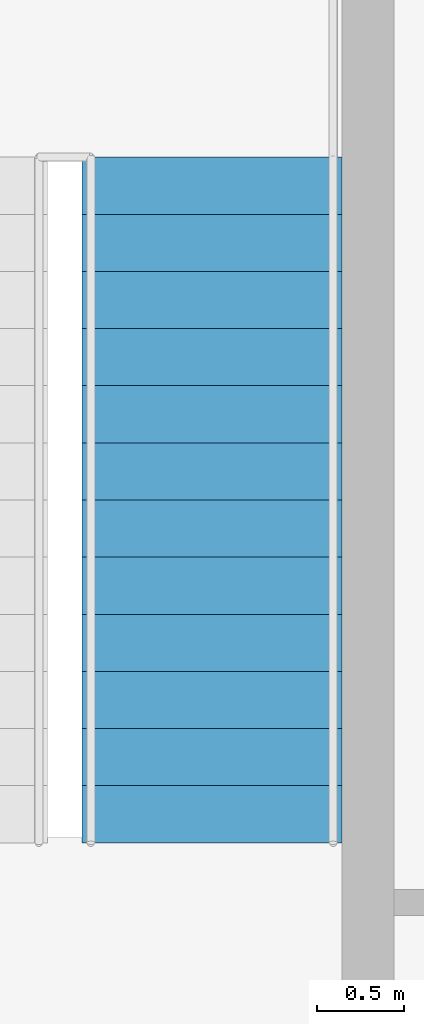
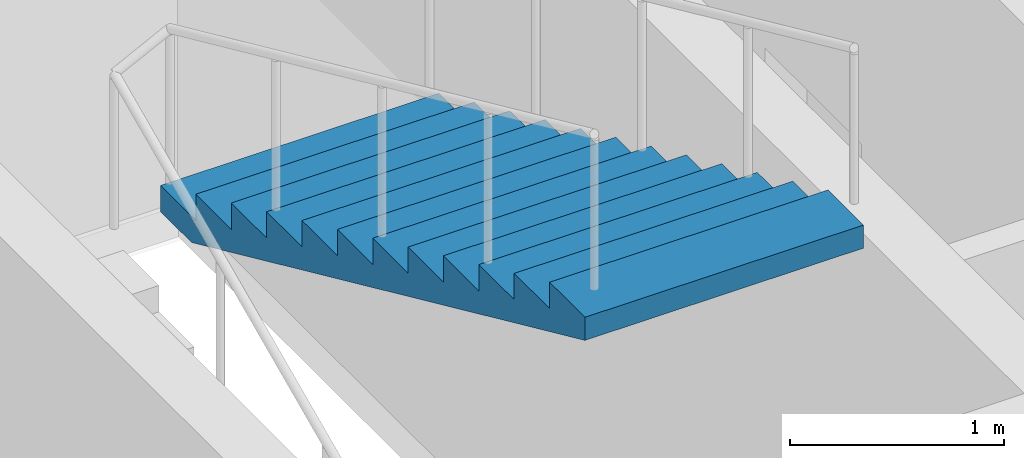
# One storey, part 9 of 10: 1 stair flight, 1 element without a shape of its own.
"""IFC4 building model written with IfcOpenShell, lengths in metres."""

from ifc_helpers import new_model, si_unit, direction, frame, origin, place, context, subcontext, project, spatial, polygons, material, type_object, element, aggregate, save


model = new_model("IFC4")

# Units and contexts
model_context = context("Model", 3, precision=1e-05, world=origin(), true_north=direction((0.0, 1.0)))
body_context = subcontext(model_context, "Body", "Model", "MODEL_VIEW")
ifc_project = project(units=[si_unit("LENGTHUNIT", "METRE"), si_unit("AREAUNIT", "SQUARE_METRE"), si_unit("VOLUMEUNIT", "CUBIC_METRE"), si_unit("PLANEANGLEUNIT", "RADIAN"), si_unit("MASSUNIT", "GRAM", prefix="KILO")], contexts=[model_context])

# Site, building, storey
site_placement = place(None, origin())
site = spatial("IfcSite", under=ifc_project, at=site_placement, CompositionType="ELEMENT")
building_placement = place(site_placement, origin())
building = spatial("IfcBuilding", under=site, at=building_placement, Name="Njiva Tower", CompositionType="ELEMENT")
storey_placement = place(building_placement, frame((0.0, 0.0, 159.3)))
storey = spatial("IfcBuildingStorey", under=building, at=storey_placement, Name="L34", CompositionType="ELEMENT", Elevation=159.3)

# Stair, stair flight
ifc_material = material(Name="Concrete C40/50", Category="concrete")
stair_type = type_object("IfcStairType", Name="ST4 Exit stair 1500", PredefinedType="HALF_TURN_STAIR", material=ifc_material)
stair_placement = place(storey_placement, origin())
stair = element("IfcStair", 1, at=stair_placement, inside=storey, type_object=stair_type, Name="Stair B", PredefinedType="HALF_TURN_STAIR")
stair_flight_type = type_object("IfcStairFlightType", Name="FL4 Stair flight 1500", PredefinedType="STRAIGHT", material=ifc_material)
stair_flight_placement = place(storey_placement, frame((13.45, 15.06, 1.95), z_axis=(0.0, 0.0, 1.0), x_axis=(0.0, -1.0, 0.0)))
stair_flight = element("IfcStairFlight", 2, at=stair_flight_placement, type_object=stair_flight_type, Name="ST-B flight 2", NumberOfRisers=13, NumberOfTreads=12, PredefinedType="STRAIGHT", RiserHeight=0.15, TreadLength=0.33, context=body_context, shape_type="Tessellation", body=[
    polygons([(0.0, 0.75, 0.0), (0.0, 0.375, 0.0), (0.0, 0.0, 0.0), (0.0, -0.375, 0.0), (0.0, -0.75, 0.0), (0.0, 0.75, 0.15), (0.0, 0.375, 0.15), (0.0, 0.0, 0.15), (0.0, -0.375, 0.15), (0.0, -0.75, 0.15), (0.33, 0.75, 0.15), (0.33, 0.375, 0.15), (0.33, 0.0, 0.15), (0.33, -0.375, 0.15), (0.33, -0.75, 0.15), (0.33, 0.75, 0.3), (0.33, 0.375, 0.3), (0.33, 0.0, 0.3), (0.33, -0.375, 0.3), (0.33, -0.75, 0.3), (0.66, 0.75, 0.3), (0.66, 0.375, 0.3), (0.66, 0.0, 0.3), (0.66, -0.375, 0.3), (0.66, -0.75, 0.3), (0.66, 0.75, 0.45), (0.66, 0.375, 0.45), (0.66, 0.0, 0.45), (0.66, -0.375, 0.45), (0.66, -0.75, 0.45), (0.99, 0.75, 0.45), (0.99, 0.375, 0.45), (0.99, 0.0, 0.45), (0.99, -0.375, 0.45), (0.99, -0.75, 0.45), (0.99, 0.75, 0.6), (0.99, 0.375, 0.6), (0.99, 0.0, 0.6), (0.99, -0.375, 0.6), (0.99, -0.75, 0.6), (1.32, 0.75, 0.6), (1.32, 0.375, 0.6), (1.32, 0.0, 0.6), (1.32, -0.375, 0.6), (1.32, -0.75, 0.6), (1.32, 0.75, 0.75), (1.32, 0.375, 0.75), (1.32, 0.0, 0.75), (1.32, -0.375, 0.75), (1.32, -0.75, 0.75), (1.65, 0.75, 0.75), (1.65, 0.375, 0.75), (1.65, 0.0, 0.75), (1.65, -0.375, 0.75), (1.65, -0.75, 0.75), (1.65, 0.75, 0.9), (1.65, 0.375, 0.9), (1.65, 0.0, 0.9), (1.65, -0.375, 0.9), (1.65, -0.75, 0.9), (1.98, 0.75, 0.9), (1.98, 0.375, 0.9), (1.98, 0.0, 0.9), (1.98, -0.375, 0.9), (1.98, -0.75, 0.9), (1.98, 0.75, 1.05), (1.98, 0.375, 1.05), (1.98, 0.0, 1.05), (1.98, -0.375, 1.05), (1.98, -0.75, 1.05), (2.31, 0.75, 1.05), (2.31, 0.375, 1.05), (2.31, 0.0, 1.05), (2.31, -0.375, 1.05), (2.31, -0.75, 1.05), (2.31, 0.75, 1.2), (2.31, 0.375, 1.2), (2.31, 0.0, 1.2), (2.31, -0.375, 1.2), (2.31, -0.75, 1.2), (2.64, 0.75, 1.2), (2.64, 0.375, 1.2), (2.64, 0.0, 1.2), (2.64, -0.375, 1.2), (2.64, -0.75, 1.2), (2.64, 0.75, 1.35), (2.64, 0.375, 1.35), (2.64, 0.0, 1.35), (2.64, -0.375, 1.35), (2.64, -0.75, 1.35), (2.97, 0.75, 1.35), (2.97, 0.375, 1.35), (2.97, 0.0, 1.35), (2.97, -0.375, 1.35), (2.97, -0.75, 1.35), (2.97, 0.75, 1.5), (2.97, 0.375, 1.5), (2.97, 0.0, 1.5), (2.97, -0.375, 1.5), (2.97, -0.75, 1.5), (3.3, 0.75, 1.5), (3.3, 0.375, 1.5), (3.3, 0.0, 1.5), (3.3, -0.375, 1.5), (3.3, -0.75, 1.5), (3.3, 0.75, 1.65), (3.3, 0.375, 1.65), (3.3, 0.0, 1.65), (3.3, -0.375, 1.65), (3.3, -0.75, 1.65), (3.63, 0.75, 1.65), (3.63, 0.375, 1.65), (3.63, 0.0, 1.65), (3.63, -0.375, 1.65), (3.63, -0.75, 1.65), (3.63, 0.75, 1.8), (3.63, 0.375, 1.8), (3.63, 0.0, 1.8), (3.63, -0.375, 1.8), (3.63, -0.75, 1.8), (3.96, 0.75, 1.8), (3.96, 0.375, 1.8), (3.96, 0.0, 1.8), (3.96, -0.375, 1.8), (3.96, -0.75, 1.8), (3.96, 0.75, 1.6682), (3.96, 0.375, 1.6682), (3.96, 0.0, 1.6682), (3.96, -0.375, 1.6682), (3.96, -0.75, 1.6682), (0.29, 0.75, 0.0), (0.29, 0.375, 0.0), (0.29, 0.0, 0.0), (0.29, -0.375, 0.0), (0.29, -0.75, 0.0)], [[[1, 6, 11, 16, 21, 26, 31, 36, 41, 46, 51, 56, 61, 66, 71, 76, 81, 86, 91, 96, 101, 106, 111, 116, 121, 126, 131]], [[135, 130, 125, 120, 115, 110, 105, 100, 95, 90, 85, 80, 75, 70, 65, 60, 55, 50, 45, 40, 35, 30, 25, 20, 15, 10, 5]], [[6, 1, 2, 7]], [[7, 2, 3, 8]], [[8, 3, 4, 9]], [[9, 4, 5, 10]], [[11, 6, 7, 12]], [[12, 7, 8, 13]], [[13, 8, 9, 14]], [[14, 9, 10, 15]], [[16, 11, 12, 17]], [[17, 12, 13, 18]], [[18, 13, 14, 19]], [[19, 14, 15, 20]], [[21, 16, 17, 22]], [[22, 17, 18, 23]], [[23, 18, 19, 24]], [[24, 19, 20, 25]], [[26, 21, 22, 27]], [[27, 22, 23, 28]], [[28, 23, 24, 29]], [[29, 24, 25, 30]], [[31, 26, 27, 32]], [[32, 27, 28, 33]], [[33, 28, 29, 34]], [[34, 29, 30, 35]], [[36, 31, 32, 37]], [[37, 32, 33, 38]], [[38, 33, 34, 39]], [[39, 34, 35, 40]], [[41, 36, 37, 42]], [[42, 37, 38, 43]], [[43, 38, 39, 44]], [[44, 39, 40, 45]], [[46, 41, 42, 47]], [[47, 42, 43, 48]], [[48, 43, 44, 49]], [[49, 44, 45, 50]], [[51, 46, 47, 52]], [[52, 47, 48, 53]], [[53, 48, 49, 54]], [[54, 49, 50, 55]], [[56, 51, 52, 57]], [[57, 52, 53, 58]], [[58, 53, 54, 59]], [[59, 54, 55, 60]], [[61, 56, 57, 62]], [[62, 57, 58, 63]], [[63, 58, 59, 64]], [[64, 59, 60, 65]], [[66, 61, 62, 67]], [[67, 62, 63, 68]], [[68, 63, 64, 69]], [[69, 64, 65, 70]], [[71, 66, 67, 72]], [[72, 67, 68, 73]], [[73, 68, 69, 74]], [[74, 69, 70, 75]], [[76, 71, 72, 77]], [[77, 72, 73, 78]], [[78, 73, 74, 79]], [[79, 74, 75, 80]], [[81, 76, 77, 82]], [[82, 77, 78, 83]], [[83, 78, 79, 84]], [[84, 79, 80, 85]], [[86, 81, 82, 87]], [[87, 82, 83, 88]], [[88, 83, 84, 89]], [[89, 84, 85, 90]], [[91, 86, 87, 92]], [[92, 87, 88, 93]], [[93, 88, 89, 94]], [[94, 89, 90, 95]], [[96, 91, 92, 97]], [[97, 92, 93, 98]], [[98, 93, 94, 99]], [[99, 94, 95, 100]], [[101, 96, 97, 102]], [[102, 97, 98, 103]], [[103, 98, 99, 104]], [[104, 99, 100, 105]], [[106, 101, 102, 107]], [[107, 102, 103, 108]], [[108, 103, 104, 109]], [[109, 104, 105, 110]], [[111, 106, 107, 112]], [[112, 107, 108, 113]], [[113, 108, 109, 114]], [[114, 109, 110, 115]], [[116, 111, 112, 117]], [[117, 112, 113, 118]], [[118, 113, 114, 119]], [[119, 114, 115, 120]], [[121, 116, 117, 122]], [[122, 117, 118, 123]], [[123, 118, 119, 124]], [[124, 119, 120, 125]], [[126, 121, 122, 127]], [[127, 122, 123, 128]], [[128, 123, 124, 129]], [[129, 124, 125, 130]], [[131, 126, 127, 132]], [[132, 127, 128, 133]], [[133, 128, 129, 134]], [[134, 129, 130, 135]], [[1, 131, 132, 2]], [[2, 132, 133, 3]], [[3, 133, 134, 4]], [[4, 134, 135, 5]]], closed=True),
])
aggregate(stair, [stair_flight])

save(model, "model.ifc")
